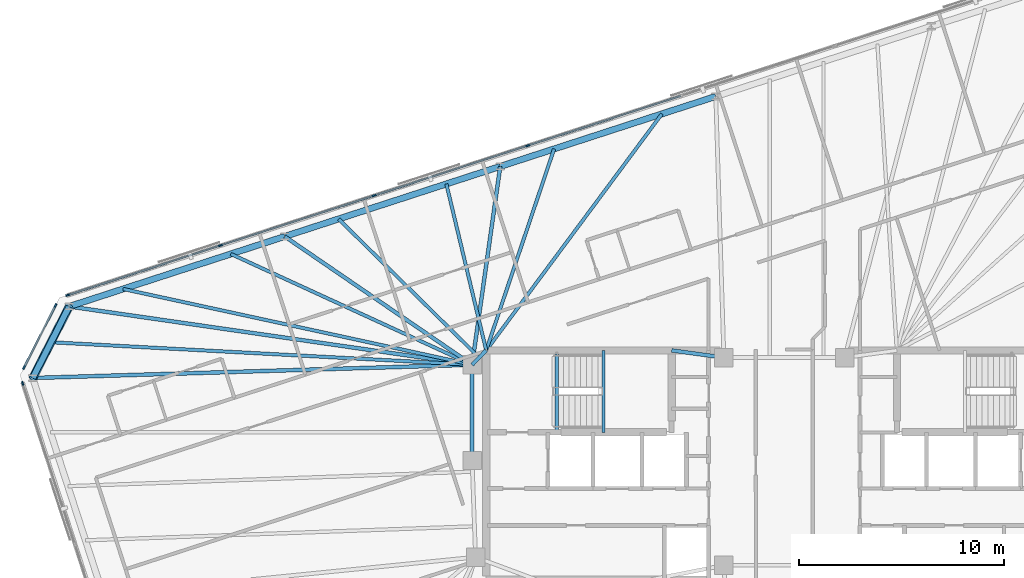
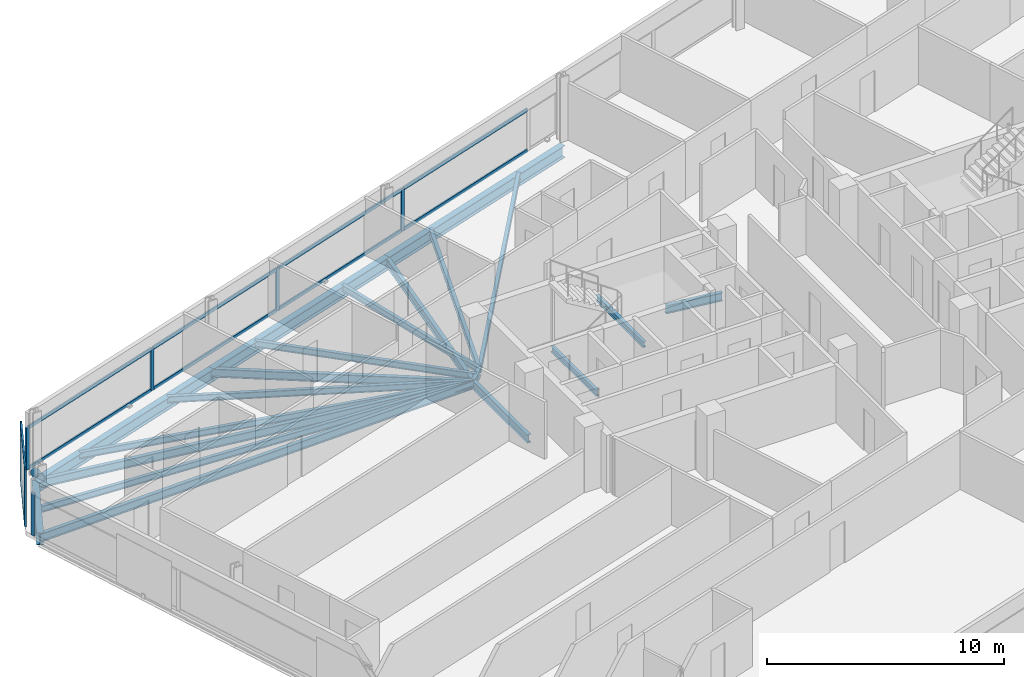
# One storey, part 9 of 19: 20 beams, 18 members, 3 elements without a shape of their own.
"""IFC4 building model written with IfcOpenShell, lengths in metres."""

from ifc_helpers import new_model, si_unit, direction, frame, origin, origin_2d, place, context, subcontext, project, spatial, rectangle, hollow_circle, i_section, extrude, material, material_profile, profile_set, type_object, element, aggregate, save


model = new_model("IFC4")

# Units and contexts
model_context = context("Model", 3, precision=1e-05, world=origin(), true_north=direction((0.0, 1.0)))
body_context = subcontext(model_context, "Body", "Model", "MODEL_VIEW")
ifc_project = project(units=[si_unit("LENGTHUNIT", "METRE"), si_unit("AREAUNIT", "SQUARE_METRE"), si_unit("VOLUMEUNIT", "CUBIC_METRE"), si_unit("PLANEANGLEUNIT", "RADIAN"), si_unit("MASSUNIT", "GRAM", prefix="KILO")], contexts=[model_context])

# Site, building, storey
site_placement = place(None, origin())
site = spatial("IfcSite", under=ifc_project, at=site_placement, CompositionType="ELEMENT")
building_placement = place(site_placement, origin())
building = spatial("IfcBuilding", under=site, at=building_placement, Name="Menara Jurai Vektor", CompositionType="ELEMENT")
storey_placement = place(building_placement, frame((0.0, 0.0, 251.10009765625)))
storey = spatial("IfcBuildingStorey", under=building, at=storey_placement, Name="L67", CompositionType="ELEMENT", Elevation=251.10009765625)

# Curtain wall, members
ifc_material_1 = material(Name="Anodised Pale Aluminium & Low-E Double Glazing", Category="aluminium")
curtain_wall_type = type_object("IfcCurtainWallType", Name="CW-BLK4", PredefinedType="NOTDEFINED", material=ifc_material_1)
curtain_wall_1_placement = place(storey_placement, origin())
curtain_wall_1 = element("IfcCurtainWall", 1, at=curtain_wall_1_placement, inside=storey, type_object=curtain_wall_type, Name="Unitised Curtain Wall L67 F05", PredefinedType="NOTDEFINED")
ifc_material_2 = material(Name="Anodised Pale Aluminium Mullion", Category="aluminium")
ifc_material_profile_1 = material_profile(ifc_material_2, rectangle(XDim=0.080078125, YDim=0.18994140625, at=origin_2d()), Name="ALU MUL 80x190")
ifc_profile_set_1 = profile_set([ifc_material_profile_1], Name="Anodised Pale Aluminium Mullion")
member_type_1 = type_object("IfcMemberType", Name="CW-BLK4-MUL", PredefinedType="MULLION", material=ifc_profile_set_1)
member_1_placement = place(storey_placement, frame((-12.532958984375, 15.601806640625, 0.0), z_axis=(0.0, 0.0, 1.0), x_axis=(0.309017344167, -0.951056402641, 0.0)))
member_1 = element("IfcMember", 2, at=member_1_placement, type_object=member_type_1, Name="CW-04 mullion 5", PredefinedType="MULLION", context=body_context, shape_type="SweptSolid", body=[
    extrude(rectangle(XDim=0.080078125, YDim=0.18994140625, at=origin_2d()), origin(), (0.0, 0.0, 1.0), 2.1748046875),
])
member_2_placement = place(storey_placement, frame((-20.0380859375, 13.163330078125, 0.0), z_axis=(0.0, 0.0, 1.0), x_axis=(0.309017344167, -0.951056402641, 0.0)))
member_2 = element("IfcMember", 3, at=member_2_placement, type_object=member_type_1, Name="CW-04 mullion 6", PredefinedType="MULLION", context=body_context, shape_type="SweptSolid", body=[
    extrude(rectangle(XDim=0.080078125, YDim=0.18994140625, at=origin_2d()), origin(), (0.0, 0.0, 1.0), 2.1748046875),
])
member_3_placement = place(storey_placement, frame((-27.543212890625, 10.724609375, 0.0), z_axis=(0.0, 0.0, 1.0), x_axis=(0.309017344167, -0.951056402641, 0.0)))
member_3 = element("IfcMember", 4, at=member_3_placement, type_object=member_type_1, Name="CW-04 mullion 7", PredefinedType="MULLION", context=body_context, shape_type="SweptSolid", body=[
    extrude(rectangle(XDim=0.080078125, YDim=0.18994140625, at=origin_2d()), origin(), (0.0, 0.0, 1.0), 2.1748046875),
])
member_4_placement = place(storey_placement, frame((-35.010498046875, 8.29833984375, 0.0), z_axis=(0.0, 0.0, 1.0), x_axis=(0.309017344167, -0.951056402641, 0.0)))
member_4 = element("IfcMember", 5, at=member_4_placement, type_object=member_type_1, Name="CW-04 mullion 8", PredefinedType="MULLION", context=body_context, shape_type="SweptSolid", body=[
    extrude(rectangle(XDim=0.080078125, YDim=0.18994140625, at=origin_2d()), origin(), (0.0, 0.0, 1.0), 2.1748046875),
])

curtain_wall_2_placement = place(storey_placement, origin())
curtain_wall_2 = element("IfcCurtainWall", 6, at=curtain_wall_2_placement, inside=storey, type_object=curtain_wall_type, Name="Unitised Curtain Wall L67 F06", PredefinedType="NOTDEFINED")
member_5_placement = place(storey_placement, frame((-35.6005859375, 7.79443359375, 0.0), z_axis=(0.0, 0.0, 1.0), x_axis=(0.89100750243, -0.453988579828, 0.0)))
member_5 = element("IfcMember", 7, at=member_5_placement, type_object=member_type_1, Name="CW-04 mullion 1", PredefinedType="MULLION", context=body_context, shape_type="SweptSolid", body=[
    extrude(rectangle(XDim=0.080078125, YDim=0.18994140625, at=origin_2d()), origin(), (0.0, 0.0, 1.0), 2.94482421875),
])
member_6_placement = place(storey_placement, frame((-37.145263671875, 4.7626953125, 0.0), z_axis=(0.0, 0.0, 1.0), x_axis=(0.89100750243, -0.453988579828, 0.0)))
member_6 = element("IfcMember", 8, at=member_6_placement, type_object=member_type_1, Name="CW-04 mullion 2", PredefinedType="MULLION", context=body_context, shape_type="SweptSolid", body=[
    extrude(rectangle(XDim=0.080078125, YDim=0.18994140625, at=origin_2d()), origin(), (0.0, 0.0, 1.0), 2.94482421875),
])

# Curtain wall, member
curtain_wall_3_placement = place(storey_placement, origin())
curtain_wall_3 = element("IfcCurtainWall", 9, at=curtain_wall_3_placement, inside=storey, type_object=curtain_wall_type, Name="Unitised Curtain Wall L67 F07", PredefinedType="NOTDEFINED")
member_7_placement = place(storey_placement, frame((-37.206298828125, 3.989013671875, 0.0), z_axis=(0.0, 0.0, 1.0), x_axis=(0.95105668295, 0.309016481464, 0.0)))
member_7 = element("IfcMember", 10, at=member_7_placement, type_object=member_type_1, Name="CW-04 mullion 1", PredefinedType="MULLION", context=body_context, shape_type="SweptSolid", body=[
    extrude(rectangle(XDim=0.080078125, YDim=0.18994140625, at=origin_2d()), origin(), (0.0, 0.0, 1.0), 2.1748046875),
])
aggregate(curtain_wall_3, [member_7])

# Member
ifc_material_3 = material(Name="Anodised Pale Aluminium Transom", Category="aluminium")
ifc_material_profile_2 = material_profile(ifc_material_3, rectangle(XDim=0.080078125, YDim=0.1650390625, at=origin_2d()), Name="ALU TRN 80x165")
ifc_profile_set_2 = profile_set([ifc_material_profile_2], Name="Anodised Pale Aluminium Transom")
member_type_2 = type_object("IfcMemberType", Name="CW-BLK4-TRN", PredefinedType="USERDEFINED", material=ifc_profile_set_2)
member_8_placement = place(storey_placement, frame((-5.06591796875, 18.028076171875, 0.039794921875), z_axis=(-0.95105634578, -0.309017519167, 0.0), x_axis=(0.309017519167, -0.95105634578, 0.0)))
member_8 = element("IfcMember", 11, at=member_8_placement, type_object=member_type_2, Name="CW-04 transom 4.1", ObjectType="TRANSOM", PredefinedType="USERDEFINED", context=body_context, shape_type="SweptSolid", body=[
    extrude(rectangle(XDim=0.080078125, YDim=0.1650390625, at=origin_2d()), origin(), (0.0, 0.0, 1.0), 7.811279296875),
])

member_9_placement = place(storey_placement, frame((-5.06591796875, 18.028076171875, 2.135009765625), z_axis=(-0.95105634578, -0.309017519167, 0.0), x_axis=(0.309017519167, -0.95105634578, 0.0)))
member_9 = element("IfcMember", 12, at=member_9_placement, type_object=member_type_2, Name="CW-04 transom 4.2", ObjectType="TRANSOM", PredefinedType="USERDEFINED", context=body_context, shape_type="SweptSolid", body=[
    extrude(rectangle(XDim=0.080078125, YDim=0.1650390625, at=origin_2d()), origin(), (0.0, 0.0, 1.0), 7.811279296875),
])

member_10_placement = place(storey_placement, frame((-12.571044921875, 15.589599609375, 0.039794921875), z_axis=(-0.95104715984, -0.309045789099, 0.0), x_axis=(0.309045789099, -0.95104715984, 0.0)))
member_10 = element("IfcMember", 13, at=member_10_placement, type_object=member_type_2, Name="CW-04 transom 5.1", ObjectType="TRANSOM", PredefinedType="USERDEFINED", context=body_context, shape_type="SweptSolid", body=[
    extrude(rectangle(XDim=0.080078125, YDim=0.1650390625, at=origin_2d()), origin(), (0.0, 0.0, 1.0), 7.811279296875),
])

member_11_placement = place(storey_placement, frame((-12.571044921875, 15.589599609375, 2.135009765625), z_axis=(-0.95104715984, -0.309045789099, 0.0), x_axis=(0.309045789099, -0.95104715984, 0.0)))
member_11 = element("IfcMember", 14, at=member_11_placement, type_object=member_type_2, Name="CW-04 transom 5.2", ObjectType="TRANSOM", PredefinedType="USERDEFINED", context=body_context, shape_type="SweptSolid", body=[
    extrude(rectangle(XDim=0.080078125, YDim=0.1650390625, at=origin_2d()), origin(), (0.0, 0.0, 1.0), 7.811279296875),
])

member_12_placement = place(storey_placement, frame((-20.076171875, 13.15087890625, 0.039794921875), z_axis=(-0.951059330237, -0.309008333817, 0.0), x_axis=(0.309008333817, -0.951059330237, 0.0)))
member_12 = element("IfcMember", 15, at=member_12_placement, type_object=member_type_2, Name="CW-04 transom 6.1", ObjectType="TRANSOM", PredefinedType="USERDEFINED", context=body_context, shape_type="SweptSolid", body=[
    extrude(rectangle(XDim=0.080078125, YDim=0.1650390625, at=origin_2d()), origin(), (0.0, 0.0, 1.0), 7.8115234375),
])

member_13_placement = place(storey_placement, frame((-20.076171875, 13.15087890625, 2.135009765625), z_axis=(-0.951059330237, -0.309008333817, 0.0), x_axis=(0.309008333817, -0.951059330237, 0.0)))
member_13 = element("IfcMember", 16, at=member_13_placement, type_object=member_type_2, Name="CW-04 transom 6.2", ObjectType="TRANSOM", PredefinedType="USERDEFINED", context=body_context, shape_type="SweptSolid", body=[
    extrude(rectangle(XDim=0.080078125, YDim=0.1650390625, at=origin_2d()), origin(), (0.0, 0.0, 1.0), 7.8115234375),
])

member_14_placement = place(storey_placement, frame((-27.581298828125, 10.71240234375, 0.039794921875), z_axis=(-0.951052997543, -0.309027823771, 0.0), x_axis=(0.309027823771, -0.951052997543, 0.0)))
member_14 = element("IfcMember", 17, at=member_14_placement, type_object=member_type_2, Name="CW-04 transom 7.1", ObjectType="TRANSOM", PredefinedType="USERDEFINED", context=body_context, shape_type="SweptSolid", body=[
    extrude(rectangle(XDim=0.080078125, YDim=0.1650390625, at=origin_2d()), origin(), (0.0, 0.0, 1.0), 7.771484375),
])

member_15_placement = place(storey_placement, frame((-27.581298828125, 10.71240234375, 2.135009765625), z_axis=(-0.951052997543, -0.309027823771, 0.0), x_axis=(0.309027823771, -0.951052997543, 0.0)))
member_15 = element("IfcMember", 18, at=member_15_placement, type_object=member_type_2, Name="CW-04 transom 7.2", ObjectType="TRANSOM", PredefinedType="USERDEFINED", context=body_context, shape_type="SweptSolid", body=[
    extrude(rectangle(XDim=0.080078125, YDim=0.1650390625, at=origin_2d()), origin(), (0.0, 0.0, 1.0), 7.771484375),
])

aggregate(curtain_wall_1, [member_1, member_2, member_3, member_4, member_8, member_9, member_10, member_11, member_12, member_13, member_14, member_15])

member_16_placement = place(storey_placement, frame((-35.61865234375, 7.7587890625, 0.039794921875), z_axis=(-0.454019339544, -0.890991828986, 0.0), x_axis=(0.890991828986, -0.454019339544, 0.0)))
member_16 = element("IfcMember", 19, at=member_16_placement, type_object=member_type_2, Name="CW-04 transom 1.1", ObjectType="TRANSOM", PredefinedType="USERDEFINED", context=body_context, shape_type="SweptSolid", body=[
    extrude(rectangle(XDim=0.080078125, YDim=0.1650390625, at=origin_2d()), origin(), (0.0, 0.0, 1.0), 3.32275390625),
])

member_17_placement = place(storey_placement, frame((-35.61865234375, 7.7587890625, 2.90478515625), z_axis=(-0.454019339544, -0.890991828986, 0.0), x_axis=(0.890991828986, -0.454019339544, 0.0)))
member_17 = element("IfcMember", 20, at=member_17_placement, type_object=member_type_2, Name="CW-04 transom 1.2", ObjectType="TRANSOM", PredefinedType="USERDEFINED", context=body_context, shape_type="SweptSolid", body=[
    extrude(rectangle(XDim=0.080078125, YDim=0.1650390625, at=origin_2d()), origin(), (0.0, 0.0, 1.0), 3.32275390625),
])

aggregate(curtain_wall_2, [member_5, member_6, member_16, member_17])

# Beams
ifc_material_4 = material(Name="Steel S355", Category="steel")
ifc_material_profile_3 = material_profile(ifc_material_4, i_section(OverallWidth=0.18505859375, OverallDepth=0.429931640625, WebThickness=0.010986328125, FlangeThickness=0.01806640625, at=origin_2d()), Name="PG 430x185x76")
ifc_profile_set_3 = profile_set([ifc_material_profile_3], Name="Steel S355")
beam_type_1 = type_object("IfcBeamType", Name="STR-BM-430", PredefinedType="BEAM", material=ifc_profile_set_3)
beam_1_placement = place(storey_placement, frame((-15.25, 4.89990234375, -0.440185546875), z_axis=(0.701871936926, 0.712303154672, 0.0), x_axis=(-0.712303154672, 0.701871936926, 0.0)))
element("IfcBeam", 21, at=beam_1_placement, inside=storey, type_object=beam_type_1, Name="Core Ring Header Girder L67-CHW-N1", PredefinedType="BEAM", context=body_context, shape_type="SweptSolid", body=[
    extrude(i_section(OverallWidth=0.18505859375, OverallDepth=0.429931640625, WebThickness=0.010986328125, FlangeThickness=0.01806640625, at=origin_2d()), origin(), (0.0, 0.0, 1.0), 0.98291015625),
])
beam_2_placement = place(storey_placement, frame((-5.5, 5.60009765625, -0.440185546875), z_axis=(0.990706818608, -0.136014703483, 0.0), x_axis=(0.136014703483, 0.990706818608, 0.0)))
element("IfcBeam", 22, at=beam_2_placement, inside=storey, type_object=beam_type_1, Name="Core Ring Header Girder L67-CHW-N2", PredefinedType="BEAM", context=body_context, shape_type="SweptSolid", body=[
    extrude(i_section(OverallWidth=0.18505859375, OverallDepth=0.429931640625, WebThickness=0.010986328125, FlangeThickness=0.01806640625, at=origin_2d()), origin(), (0.0, 0.0, 1.0), 2.573974609375),
])
beam_3_placement = place(storey_placement, frame((-15.25, 0.219970703125, -0.440185546875), z_axis=(0.0, 1.0, 0.0), x_axis=(-1.0, 0.0, 0.0)))
element("IfcBeam", 23, at=beam_3_placement, inside=storey, type_object=beam_type_1, Name="Core Ring Header Girder L67-CHW-W1", PredefinedType="BEAM", context=body_context, shape_type="SweptSolid", body=[
    extrude(i_section(OverallWidth=0.18505859375, OverallDepth=0.429931640625, WebThickness=0.010986328125, FlangeThickness=0.01806640625, at=origin_2d()), origin(), (0.0, 0.0, 1.0), 4.679931640625),
])
beam_4_placement = place(storey_placement, frame((-13.875, 14.58740234375, -0.440185546875), z_axis=(-0.140527035582, -0.990076841599, 0.0), x_axis=(0.990076841599, -0.140527035582, 0.0)))
element("IfcBeam", 24, at=beam_4_placement, inside=storey, type_object=beam_type_1, Name="Radial Floor Girder L67-N4", PredefinedType="BEAM", context=body_context, shape_type="SweptSolid", body=[
    extrude(i_section(OverallWidth=0.18505859375, OverallDepth=0.429931640625, WebThickness=0.010986328125, FlangeThickness=0.01806640625, at=origin_2d()), origin(), (0.0, 0.0, 1.0), 9.78466796875),
])
beam_5_placement = place(storey_placement, frame((-24.404296875, 11.166259765625, -0.440185546875), z_axis=(0.825185786768, -0.564861414257, 0.0), x_axis=(0.564861414257, 0.825185786768, 0.0)))
element("IfcBeam", 25, at=beam_5_placement, inside=storey, type_object=beam_type_1, Name="Radial Floor Girder L67-N5", PredefinedType="BEAM", context=body_context, shape_type="SweptSolid", body=[
    extrude(i_section(OverallWidth=0.18505859375, OverallDepth=0.429931640625, WebThickness=0.010986328125, FlangeThickness=0.01806640625, at=origin_2d()), origin(), (0.0, 0.0, 1.0), 11.093505859375),
])
beam_6_placement = place(storey_placement, frame((-34.93359375, 7.7451171875, -0.440185546875), z_axis=(0.989713916117, -0.14306070126, 0.0), x_axis=(0.14306070126, 0.989713916117, 0.0)))
element("IfcBeam", 26, at=beam_6_placement, inside=storey, type_object=beam_type_1, Name="Radial Floor Girder L67-N6", PredefinedType="BEAM", context=body_context, shape_type="SweptSolid", body=[
    extrude(i_section(OverallWidth=0.18505859375, OverallDepth=0.429931640625, WebThickness=0.010986328125, FlangeThickness=0.01806640625, at=origin_2d()), origin(), (0.0, 0.0, 1.0), 19.88818359375),
])
beam_7_placement = place(storey_placement, frame((-36.71337890625, 4.251953125, -0.440185546875), z_axis=(0.999544635638, 0.030174846589, 0.0), x_axis=(-0.030174846589, 0.999544635638, 0.0)))
element("IfcBeam", 27, at=beam_7_placement, inside=storey, type_object=beam_type_1, Name="Radial Floor Girder L67-W1", PredefinedType="BEAM", context=body_context, shape_type="SweptSolid", body=[
    extrude(i_section(OverallWidth=0.18505859375, OverallDepth=0.429931640625, WebThickness=0.010986328125, FlangeThickness=0.01806640625, at=origin_2d()), origin(), (0.0, 0.0, 1.0), 21.47314453125),
])

# Member
ifc_material_5 = material(Name="Steel S460", Category="steel")
ifc_material_profile_4 = material_profile(ifc_material_5, hollow_circle(Radius=0.203125, WallThickness=0.01611328125, at=origin_2d()), Name="CHS 406.4x16")
ifc_profile_set_4 = profile_set([ifc_material_profile_4], Name="Steel S460")
member_type_3 = type_object("IfcMemberType", Name="STR-BR-406", PredefinedType="BRACE", material=ifc_profile_set_4)
member_18_placement = place(storey_placement, frame((-34.93359375, 7.7451171875, 0.14990234375), z_axis=(-0.385200688049, -0.756029004747, 0.529188599563), x_axis=(0.891013832566, -0.453976155955, 0.0)))
element("IfcMember", 28, at=member_18_placement, inside=storey, type_object=member_type_3, Name="Exoskeleton Corner Brace L67-3", PredefinedType="BRACE", context=body_context, shape_type="SweptSolid", body=[
    extrude(hollow_circle(Radius=0.203125, WallThickness=0.01611328125, at=origin_2d()), origin(), (0.0, 0.0, 1.0), 4.620361328125),
])

# Beams
ifc_material_profile_5 = material_profile(ifc_material_4, i_section(OverallWidth=0.1650390625, OverallDepth=0.330078125, WebThickness=0.009033203125, FlangeThickness=0.013916015625, at=origin_2d()), Name="PG 330x165x46")
ifc_profile_set_5 = profile_set([ifc_material_profile_5], Name="Steel S355")
beam_type_2 = type_object("IfcBeamType", Name="STR-JS-330", PredefinedType="JOIST", material=ifc_profile_set_5)
beam_8_placement = place(storey_placement, frame((-5.97802734375, 17.1533203125, -0.39013671875), z_axis=(-0.59630776033, -0.802755912448, 0.0), x_axis=(0.802755912448, -0.59630776033, 0.0)))
element("IfcBeam", 29, at=beam_8_placement, inside=storey, type_object=beam_type_2, Name="Radial Secondary Floor Joist L67-JS21", PredefinedType="JOIST", context=body_context, shape_type="SweptSolid", body=[
    extrude(i_section(OverallWidth=0.1650390625, OverallDepth=0.330078125, WebThickness=0.009033203125, FlangeThickness=0.013916015625, at=origin_2d()), origin(), (0.0, 0.0, 1.0), 14.391845703125),
])
beam_9_placement = place(storey_placement, frame((-11.24267578125, 15.44287109375, -0.39013671875), z_axis=(-0.319385076217, -0.94762501713, 0.0), x_axis=(0.94762501713, -0.319385076217, 0.0)))
element("IfcBeam", 30, at=beam_9_placement, inside=storey, type_object=beam_type_2, Name="Radial Secondary Floor Joist L67-JS22", PredefinedType="JOIST", context=body_context, shape_type="SweptSolid", body=[
    extrude(i_section(OverallWidth=0.1650390625, OverallDepth=0.330078125, WebThickness=0.009033203125, FlangeThickness=0.013916015625, at=origin_2d()), origin(), (0.0, 0.0, 1.0), 10.38671875),
])
beam_10_placement = place(storey_placement, frame((-16.50732421875, 13.732177734375, -0.39013671875), z_axis=(0.23287158907, -0.972507492518, 0.0), x_axis=(0.972507492518, 0.23287158907, 0.0)))
element("IfcBeam", 31, at=beam_10_placement, inside=storey, type_object=beam_type_2, Name="Radial Secondary Floor Joist L67-JS23", PredefinedType="JOIST", context=body_context, shape_type="SweptSolid", body=[
    extrude(i_section(OverallWidth=0.1650390625, OverallDepth=0.330078125, WebThickness=0.009033203125, FlangeThickness=0.013916015625, at=origin_2d()), origin(), (0.0, 0.0, 1.0), 8.362060546875),
])
beam_11_placement = place(storey_placement, frame((-21.77197265625, 12.021484375, -0.39013671875), z_axis=(0.7121893722, -0.701987391714, 0.0), x_axis=(0.701987391714, 0.7121893722, 0.0)))
element("IfcBeam", 32, at=beam_11_placement, inside=storey, type_object=beam_type_2, Name="Radial Secondary Floor Joist L67-JS24", PredefinedType="JOIST", context=body_context, shape_type="SweptSolid", body=[
    extrude(i_section(OverallWidth=0.1650390625, OverallDepth=0.330078125, WebThickness=0.009033203125, FlangeThickness=0.013916015625, at=origin_2d()), origin(), (0.0, 0.0, 1.0), 9.64404296875),
])
beam_12_placement = place(storey_placement, frame((-27.03662109375, 10.31103515625, -0.39013671875), z_axis=(0.908803804095, -0.417223735738, 0.0), x_axis=(0.417223735738, 0.908803804095, 0.0)))
element("IfcBeam", 33, at=beam_12_placement, inside=storey, type_object=beam_type_2, Name="Radial Secondary Floor Joist L67-JS25", PredefinedType="JOIST", context=body_context, shape_type="SweptSolid", body=[
    extrude(i_section(OverallWidth=0.1650390625, OverallDepth=0.330078125, WebThickness=0.009033203125, FlangeThickness=0.013916015625, at=origin_2d()), origin(), (0.0, 0.0, 1.0), 12.969482421875),
])
beam_13_placement = place(storey_placement, frame((-32.30126953125, 8.600341796875, -0.39013671875), z_axis=(0.977251946396, -0.212081666498, 0.0), x_axis=(0.212081666498, 0.977251946396, 0.0)))
element("IfcBeam", 34, at=beam_13_placement, inside=storey, type_object=beam_type_2, Name="Radial Secondary Floor Joist L67-JS26", PredefinedType="JOIST", context=body_context, shape_type="SweptSolid", body=[
    extrude(i_section(OverallWidth=0.1650390625, OverallDepth=0.330078125, WebThickness=0.009033203125, FlangeThickness=0.013916015625, at=origin_2d()), origin(), (0.0, 0.0, 1.0), 17.4482421875),
])
beam_14_placement = place(storey_placement, frame((-35.823486328125, 5.99853515625, -0.39013671875), z_axis=(0.998577239708, -0.053324444086, 0.0), x_axis=(0.053324444086, 0.998577239708, 0.0)))
element("IfcBeam", 35, at=beam_14_placement, inside=storey, type_object=beam_type_2, Name="Radial Secondary Floor Joist L67-JS27", PredefinedType="JOIST", context=body_context, shape_type="SweptSolid", body=[
    extrude(i_section(OverallWidth=0.1650390625, OverallDepth=0.330078125, WebThickness=0.009033203125, FlangeThickness=0.013916015625, at=origin_2d()), origin(), (0.0, 0.0, 1.0), 20.602783203125),
])
ifc_material_profile_6 = material_profile(ifc_material_4, i_section(OverallWidth=0.1650390625, OverallDepth=0.302978515625, WebThickness=0.006103515625, FlangeThickness=0.010009765625, FilletRadius=0.009033203125, at=origin_2d()), Name="UKB 305x165x40")
ifc_profile_set_6 = profile_set([ifc_material_profile_6], Name="Steel S355")
beam_type_3 = type_object("IfcBeamType", Name="STR-LN-305", PredefinedType="LINTEL", material=ifc_profile_set_6)
beam_15_placement = place(storey_placement, frame((-11.1201171875, 1.60009765625, -0.376708984375), z_axis=(0.0, 1.0, 0.0), x_axis=(-1.0, 0.0, 0.0)))
element("IfcBeam", 36, at=beam_15_placement, inside=storey, type_object=beam_type_3, Name="Stair Well Floor Trimmer ST1 L67", PredefinedType="LINTEL", context=body_context, shape_type="SweptSolid", body=[
    extrude(i_section(OverallWidth=0.1650390625, OverallDepth=0.302978515625, WebThickness=0.006103515625, FlangeThickness=0.010009765625, FilletRadius=0.009033203125, at=origin_2d()), origin(), (0.0, 0.0, 1.0), 3.81982421875),
])
beam_16_placement = place(storey_placement, frame((-8.830078125, 1.60009765625, 1.323486328125), z_axis=(0.0, 1.0, 0.0), x_axis=(-1.0, 0.0, 0.0)))
element("IfcBeam", 37, at=beam_16_placement, inside=storey, type_object=beam_type_3, Name="Stair Half-Landing Nosing Trimmer ST1-1 L67", PredefinedType="LINTEL", context=body_context, shape_type="SweptSolid", body=[
    extrude(i_section(OverallWidth=0.1650390625, OverallDepth=0.302978515625, WebThickness=0.006103515625, FlangeThickness=0.010009765625, FilletRadius=0.009033203125, at=origin_2d()), origin(), (0.0, 0.0, 1.0), 4.0),
])
ifc_material_profile_7 = material_profile(ifc_material_4, i_section(OverallWidth=0.306884765625, OverallDepth=0.6201171875, WebThickness=0.013916015625, FlangeThickness=0.02392578125, FilletRadius=0.01708984375, at=origin_2d()), Name="UKB 610x305x179")
ifc_profile_set_7 = profile_set([ifc_material_profile_7], Name="Steel S355")
beam_type_4 = type_object("IfcBeamType", Name="STR-SP-610", PredefinedType="SPANDREL", material=ifc_profile_set_7)
for number, where, z_axis, x_axis, name in (
    (38, (-3.345703125, 18.008544921875, -0.53515625), (-0.951057401967, -0.309014268544, 0.0), (0.309014268544, -0.951057401967, 0.0), "Exoskeleton Spandrel Beam L67-13"),
    (39, (-13.875, 14.58740234375, -0.53515625), (-0.951057401967, -0.309014268544, 0.0), (0.309014268544, -0.951057401967, 0.0), "Exoskeleton Spandrel Beam L67-14"),
    (40, (-24.404296875, 11.166259765625, -0.53515625), (-0.951057401967, -0.309014268544, 0.0), (0.309014268544, -0.951057401967, 0.0), "Exoskeleton Spandrel Beam L67-15"),
):
    element("IfcBeam", number, at=place(storey_placement, frame(where, z_axis=z_axis, x_axis=x_axis)), inside=storey, type_object=beam_type_4, Name=name, PredefinedType="SPANDREL", context=body_context, shape_type="SweptSolid", body=[
        extrude(i_section(OverallWidth=0.306884765625, OverallDepth=0.6201171875, WebThickness=0.013916015625, FlangeThickness=0.02392578125, FilletRadius=0.01708984375, at=origin_2d()), origin(), (0.0, 0.0, 1.0), 11.071044921875),
    ])
beam_17_placement = place(storey_placement, frame((-34.93359375, 7.7451171875, -0.53515625), z_axis=(-0.453976155955, -0.891013832566, 0.0), x_axis=(0.891013832566, -0.453976155955, 0.0)))
element("IfcBeam", 41, at=beam_17_placement, inside=storey, type_object=beam_type_4, Name="Exoskeleton Spandrel Beam L67-16", PredefinedType="SPANDREL", context=body_context, shape_type="SweptSolid", body=[
    extrude(i_section(OverallWidth=0.306884765625, OverallDepth=0.6201171875, WebThickness=0.013916015625, FlangeThickness=0.02392578125, FilletRadius=0.01708984375, at=origin_2d()), origin(), (0.0, 0.0, 1.0), 3.92041015625),
])

save(model, "model.ifc")
